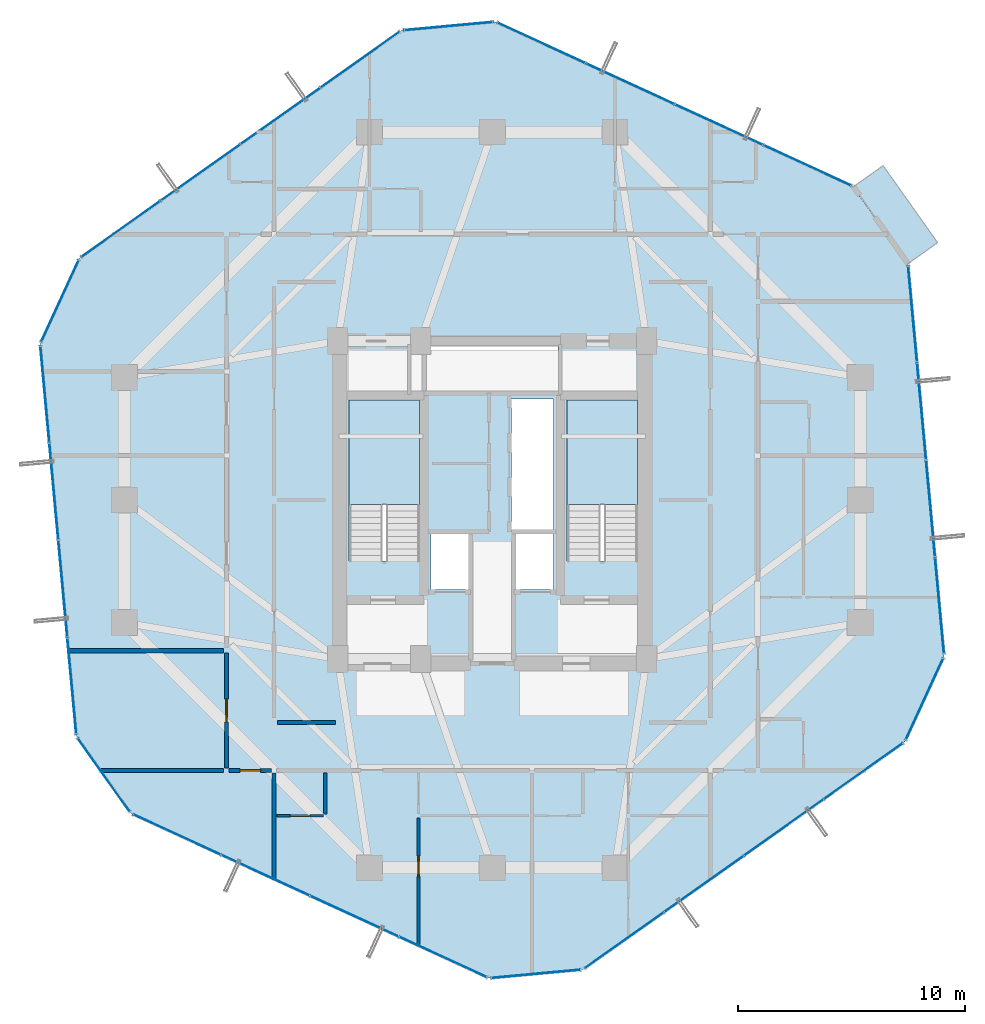
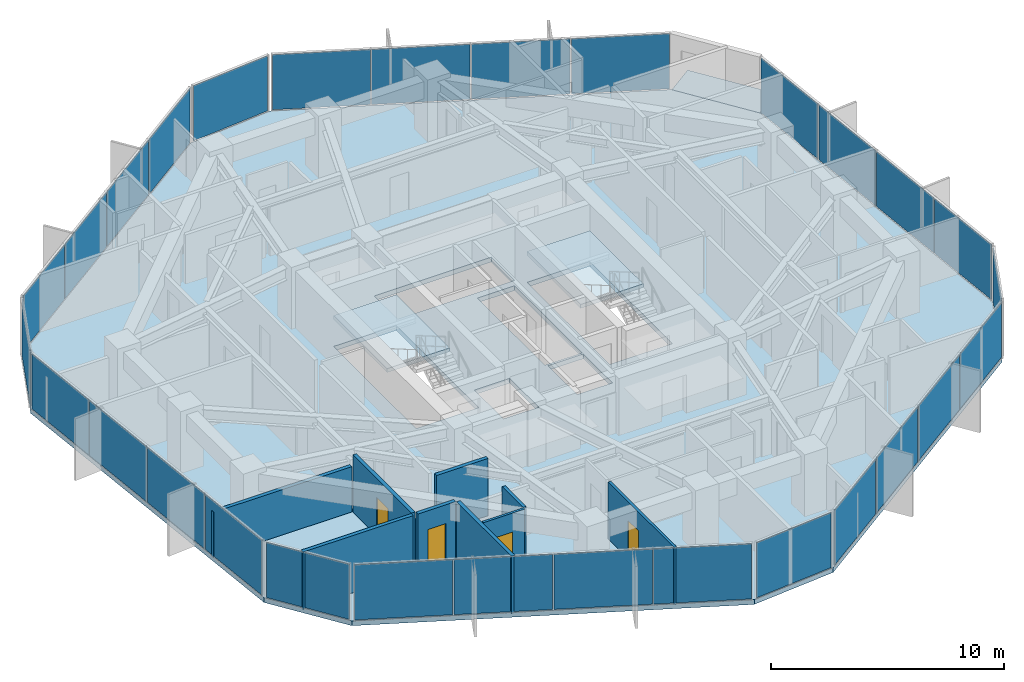
# One storey, part 27 of 33: 29 plates, 9 walls, 4 doors, 4 slabs, 4 openings, 13 elements without a shape of their own.
"""IFC4 building model written with IfcOpenShell, lengths in metres."""

from ifc_helpers import new_model, si_unit, direction, frame, frame_2d, origin, origin_2d, place, context, subcontext, project, spatial, polyline, rectangle, outline, extrude, source, transform, mapped, material, layer, layer_set, type_object, element, fill, aggregate, save


model = new_model("IFC4")

# Units and contexts
model_context = context("Model", 3, precision=1e-05, world=origin(), true_north=direction((0.0, 1.0)))
body_context = subcontext(model_context, "Body", "Model", "MODEL_VIEW")
ifc_project = project(units=[si_unit("LENGTHUNIT", "METRE"), si_unit("AREAUNIT", "SQUARE_METRE"), si_unit("VOLUMEUNIT", "CUBIC_METRE"), si_unit("PLANEANGLEUNIT", "RADIAN"), si_unit("MASSUNIT", "GRAM", prefix="KILO")], contexts=[model_context])

# Site, building, storey
site_placement = place(None, origin())
site = spatial("IfcSite", under=ifc_project, at=site_placement, CompositionType="ELEMENT")
building_placement = place(site_placement, origin())
building = spatial("IfcBuilding", under=site, at=building_placement, Name="Veraguas Prism Commons", CompositionType="ELEMENT")
storey_placement = place(building_placement, frame((0.0, 0.0, 145.75)))
storey = spatial("IfcBuildingStorey", under=building, at=storey_placement, Name="L41", CompositionType="ELEMENT", Elevation=145.75)

# Stair, slab
ifc_material_1 = material(Name="Precast concrete C45/55", Category="concrete")
stair_type = type_object("IfcStairType", Name="Dogleg Core Stair 1480W 20R 05", PredefinedType="HALF_TURN_STAIR", material=ifc_material_1)
stair_1_placement = place(storey_placement, origin())
stair_1 = element("IfcStair", 1, at=stair_1_placement, inside=storey, type_object=stair_type, Name="Protected Exit Stair ST-01 L41", PredefinedType="HALF_TURN_STAIR")
ifc_layer_1 = layer(ifc_material_1, 0.199951171875, Name="Precast Stair and Ramp Landing Slab 200", Category="concrete")
ifc_layer_set_1 = layer_set([ifc_layer_1], Name="Precast concrete C45/55")
slab_type_1 = type_object("IfcSlabType", Name="Precast Stair and Ramp Landing Slab 200", PredefinedType="LANDING", material=ifc_layer_set_1)
slab_1_placement = place(storey_placement, frame((0.0, 0.0, 1.425048828125)))
slab_1 = element("IfcSlab", 2, at=slab_1_placement, type_object=slab_type_1, Name="ST-05 Landing 1", PredefinedType="LANDING", context=body_context, shape_type="SweptSolid", body=[
    extrude(outline(polyline([(20.800048828125, 23.800048828125), (20.800048828125, 28.39990234375), (17.68994140625, 28.39990234375), (17.68994140625, 23.800048828125), (20.800048828125, 23.800048828125)])), origin(), (0.0, 0.0, 1.0), 0.199951171875),
])
aggregate(stair_1, [slab_1])

stair_2_placement = place(storey_placement, origin())
stair_2 = element("IfcStair", 3, at=stair_2_placement, inside=storey, type_object=stair_type, Name="Protected Exit Stair ST-02 L41", PredefinedType="HALF_TURN_STAIR")
slab_2_placement = place(storey_placement, frame((0.0, 0.0, 1.425048828125)))
slab_2 = element("IfcSlab", 4, at=slab_2_placement, type_object=slab_type_1, Name="ST-05 Landing 1", PredefinedType="LANDING", context=body_context, shape_type="SweptSolid", body=[
    extrude(outline(polyline([(30.39990234375, 23.800048828125), (30.39990234375, 28.39990234375), (27.2900390625, 28.39990234375), (27.2900390625, 23.800048828125), (30.39990234375, 23.800048828125)])), origin(), (0.0, 0.0, 1.0), 0.199951171875),
])
aggregate(stair_2, [slab_2])

# Slabs
ifc_material_2 = material(Name="Concrete C45/55", Category="concrete")
ifc_layer_2 = layer(ifc_material_2, 0.219970703125, Name="Recessed Loggia and Terrace Slab RC 220", Category="concrete")
ifc_layer_set_2 = layer_set([ifc_layer_2], Name="Concrete C45/55")
slab_type_2 = type_object("IfcSlabType", Name="Recessed Loggia and Terrace Slab RC 220", PredefinedType="FLOOR", material=ifc_layer_set_2)
slab_3_placement = place(storey_placement, frame((0.0, 0.0, -0.219970703125)))
element("IfcSlab", 5, at=slab_3_placement, inside=storey, type_object=slab_type_2, Name="Recessed Corner Loggia L41-C1", PredefinedType="FLOOR", context=body_context, shape_type="SweptSolid", body=[
    extrude(outline(polyline([(42.286376953125, 34.39404296875), (43.608642578125, 35.32958984375), (41.2099609375, 38.72021484375), (39.887451171875, 37.784423828125), (42.286376953125, 34.39404296875)])), origin(), (0.0, 0.0, 1.0), 0.219970703125),
])
ifc_layer_3 = layer(ifc_material_2, 0.25, Name="Tower Lower Residential Floor Slab RC 250", Category="concrete")
ifc_layer_set_3 = layer_set([ifc_layer_3], Name="Concrete C45/55")
slab_type_3 = type_object("IfcSlabType", Name="Tower Lower Residential Floor Slab RC 250", PredefinedType="FLOOR", material=ifc_layer_set_3)
slab_4_placement = place(storey_placement, frame((0.0, 0.0, -0.25)))
element("IfcSlab", 6, at=slab_4_placement, inside=storey, type_object=slab_type_3, Name="Tower Floor Slab L41", PredefinedType="FLOOR", context=body_context, shape_type="SweptSolid", body=[
    extrude(outline(polyline([(42.302490234375, 34.405517578125), (39.90380859375, 37.7958984375), (24.139892578125, 45.05322265625), (20.00439453125, 44.671142578125), (5.837158203125, 34.647705078125), (4.100341796875, 30.875), (5.697509765625, 13.594482421875), (8.09619140625, 10.2041015625), (23.860107421875, 2.94677734375), (27.99560546875, 3.328857421875), (42.162841796875, 13.352294921875), (43.899658203125, 17.125), (42.302490234375, 34.405517578125)]), holes=[polyline([(20.800048828125, 21.31005859375), (20.800048828125, 28.39990234375), (17.68994140625, 28.39990234375), (17.68994140625, 21.31005859375), (20.800048828125, 21.31005859375)]), polyline([(30.39990234375, 21.31005859375), (30.39990234375, 28.39990234375), (27.2900390625, 28.39990234375), (27.2900390625, 21.31005859375), (30.39990234375, 21.31005859375)]), polyline([(24.85009765625, 22.64990234375), (26.699951171875, 22.64990234375), (26.699951171875, 28.449951171875), (24.85009765625, 28.449951171875), (24.85009765625, 22.64990234375)]), polyline([(21.10009765625, 28.800048828125), (26.89990234375, 28.800048828125), (26.89990234375, 30.800048828125), (21.10009765625, 30.800048828125), (21.10009765625, 28.800048828125)]), polyline([(21.300048828125, 20.050048828125), (23.050048828125, 20.050048828125), (23.050048828125, 22.550048828125), (21.300048828125, 22.550048828125), (21.300048828125, 20.050048828125)]), polyline([(24.949951171875, 20.050048828125), (26.699951171875, 20.050048828125), (26.699951171875, 22.550048828125), (24.949951171875, 22.550048828125), (24.949951171875, 20.050048828125)])]), origin(), (0.0, 0.0, 1.0), 0.25),
])

# Curtain wall, plates
ifc_material_3 = material(Name="Anodised aluminium EN AW-6063 T6", Category="aluminium")
ifc_layer_4 = layer(ifc_material_3, 0.169921875, Name="Unitised Flush Curtain Wall Zone 2", Category="aluminium")
ifc_layer_set_4 = layer_set([ifc_layer_4], Name="Anodised aluminium EN AW-6063 T6")
curtain_wall_type = type_object("IfcCurtainWallType", Name="Unitised Flush Curtain Wall Zone 2", PredefinedType="NOTDEFINED", material=ifc_layer_set_4)
curtain_wall_1_placement = place(storey_placement, origin())
curtain_wall_1 = element("IfcCurtainWall", 7, at=curtain_wall_1_placement, inside=storey, type_object=curtain_wall_type, Name="Tower Facade Curtain Wall L41-F1", PredefinedType="NOTDEFINED")
ifc_material_4 = material(Name="Laminated low-e glass", Category="glass")
ifc_layer_5 = layer(ifc_material_4, 0.028076171875, Name="Unitised Double Low-E Glazed Panel 28", Category="glass")
ifc_layer_set_5 = layer_set([ifc_layer_5], Name="Laminated low-e glass")
plate_type = type_object("IfcPlateType", Name="Unitised Double Low-E Glazed Panel 28", PredefinedType="CURTAIN_PANEL", material=ifc_layer_set_5)
shared_shape_1 = source(origin(), body_context, "Body", "SweptSolid", [
    extrude(rectangle(XDim=4.218505859375, YDim=0.028076171875, at=origin_2d()), origin(), (0.0, 0.0, 1.0), 2.889892578125),
])
plate_1_placement = place(storey_placement, frame((37.87890625, 38.728271484375, 0.05517578125), z_axis=(0.0, 0.0, 1.0), x_axis=(-0.908362988922, 0.418182592124, 0.0)))
plate_1 = element("IfcPlate", 8, at=plate_1_placement, type_object=plate_type, Name="CW-Z2 Panel 1.1", PredefinedType="CURTAIN_PANEL", context=body_context, shape_type="MappedRepresentation", body=[
    mapped(shared_shape_1, transform((0.0, 0.0, 0.0), scale=1.0)),
])
plate_2_placement = place(storey_placement, frame((26.164794921875, 44.12109375, 0.05517578125), z_axis=(0.0, 0.0, 1.0), x_axis=(-0.908362988922, 0.418182592124, 0.0)))
plate_2 = element("IfcPlate", 9, at=plate_2_placement, type_object=plate_type, Name="CW-Z2 Panel 4.1", PredefinedType="CURTAIN_PANEL", context=body_context, shape_type="MappedRepresentation", body=[
    mapped(shared_shape_1, transform((0.0, 0.0, 0.0), scale=1.0)),
])

curtain_wall_2_placement = place(storey_placement, origin())
curtain_wall_2 = element("IfcCurtainWall", 10, at=curtain_wall_2_placement, inside=storey, type_object=curtain_wall_type, Name="Tower Facade Curtain Wall L41-F2", PredefinedType="NOTDEFINED")
plate_3_placement = place(storey_placement, frame((18.184326171875, 43.383544921875, 0.05517578125), z_axis=(0.0, 0.0, 1.0), x_axis=(-0.81634227487, -0.577568429072, 0.0)))
plate_3 = element("IfcPlate", 11, at=plate_3_placement, type_object=plate_type, Name="CW-Z2 Panel 1.1", PredefinedType="CURTAIN_PANEL", context=body_context, shape_type="MappedRepresentation", body=[
    mapped(shared_shape_1, transform((0.0, 0.0, 0.0), scale=1.0)),
])
plate_4_placement = place(storey_placement, frame((7.656982421875, 35.935302734375, 0.05517578125), z_axis=(0.0, 0.0, 1.0), x_axis=(-0.81634227487, -0.577568429072, 0.0)))
plate_4 = element("IfcPlate", 12, at=plate_4_placement, type_object=plate_type, Name="CW-Z2 Panel 4.1", PredefinedType="CURTAIN_PANEL", context=body_context, shape_type="MappedRepresentation", body=[
    mapped(shared_shape_1, transform((0.0, 0.0, 0.0), scale=1.0)),
])

curtain_wall_3_placement = place(storey_placement, origin())
curtain_wall_3 = element("IfcCurtainWall", 13, at=curtain_wall_3_placement, inside=storey, type_object=curtain_wall_type, Name="Tower Facade Curtain Wall L41-F3", PredefinedType="NOTDEFINED")
plate_5_placement = place(storey_placement, frame((4.305419921875, 28.6552734375, 0.05517578125), z_axis=(0.0, 0.0, 1.0), x_axis=(0.092024746261, -0.995756720327, 0.0)))
plate_5 = element("IfcPlate", 14, at=plate_5_placement, type_object=plate_type, Name="CW-Z2 Panel 1.1", PredefinedType="CURTAIN_PANEL", context=body_context, shape_type="MappedRepresentation", body=[
    mapped(shared_shape_1, transform((0.0, 0.0, 0.0), scale=1.0)),
])
plate_6_placement = place(storey_placement, frame((5.4921875, 15.814208984375, 0.05517578125), z_axis=(0.0, 0.0, 1.0), x_axis=(0.092024746261, -0.995756720327, 0.0)))
plate_6 = element("IfcPlate", 15, at=plate_6_placement, type_object=plate_type, Name="CW-Z2 Panel 4.1", PredefinedType="CURTAIN_PANEL", context=body_context, shape_type="MappedRepresentation", body=[
    mapped(shared_shape_1, transform((0.0, 0.0, 0.0), scale=1.0)),
])

curtain_wall_4_placement = place(storey_placement, origin())
curtain_wall_4 = element("IfcCurtainWall", 16, at=curtain_wall_4_placement, inside=storey, type_object=curtain_wall_type, Name="Tower Facade Curtain Wall L41-F4", PredefinedType="NOTDEFINED")
plate_7_placement = place(storey_placement, frame((10.12109375, 9.271728515625, 0.05517578125), z_axis=(0.0, 0.0, 1.0), x_axis=(0.908362988922, -0.418182592124, 0.0)))
plate_7 = element("IfcPlate", 17, at=plate_7_placement, type_object=plate_type, Name="CW-Z2 Panel 1.1", PredefinedType="CURTAIN_PANEL", context=body_context, shape_type="MappedRepresentation", body=[
    mapped(shared_shape_1, transform((0.0, 0.0, 0.0), scale=1.0)),
])
plate_8_placement = place(storey_placement, frame((21.835205078125, 3.87890625, 0.05517578125), z_axis=(0.0, 0.0, 1.0), x_axis=(0.908362988922, -0.418182592124, 0.0)))
plate_8 = element("IfcPlate", 18, at=plate_8_placement, type_object=plate_type, Name="CW-Z2 Panel 4.1", PredefinedType="CURTAIN_PANEL", context=body_context, shape_type="MappedRepresentation", body=[
    mapped(shared_shape_1, transform((0.0, 0.0, 0.0), scale=1.0)),
])

curtain_wall_5_placement = place(storey_placement, origin())
curtain_wall_5 = element("IfcCurtainWall", 19, at=curtain_wall_5_placement, inside=storey, type_object=curtain_wall_type, Name="Tower Facade Curtain Wall L41-F5", PredefinedType="NOTDEFINED")
plate_9_placement = place(storey_placement, frame((29.815673828125, 4.616455078125, 0.05517578125), z_axis=(0.0, 0.0, 1.0), x_axis=(0.81634227487, 0.577568429072, 0.0)))
plate_9 = element("IfcPlate", 20, at=plate_9_placement, type_object=plate_type, Name="CW-Z2 Panel 1.1", PredefinedType="CURTAIN_PANEL", context=body_context, shape_type="MappedRepresentation", body=[
    mapped(shared_shape_1, transform((0.0, 0.0, 0.0), scale=1.0)),
])
plate_10_placement = place(storey_placement, frame((40.343017578125, 12.064697265625, 0.05517578125), z_axis=(0.0, 0.0, 1.0), x_axis=(0.81634227487, 0.577568429072, 0.0)))
plate_10 = element("IfcPlate", 21, at=plate_10_placement, type_object=plate_type, Name="CW-Z2 Panel 4.1", PredefinedType="CURTAIN_PANEL", context=body_context, shape_type="MappedRepresentation", body=[
    mapped(shared_shape_1, transform((0.0, 0.0, 0.0), scale=1.0)),
])

curtain_wall_6_placement = place(storey_placement, origin())
curtain_wall_6 = element("IfcCurtainWall", 22, at=curtain_wall_6_placement, inside=storey, type_object=curtain_wall_type, Name="Tower Facade Curtain Wall L41-F6", PredefinedType="NOTDEFINED")
plate_11_placement = place(storey_placement, frame((43.694580078125, 19.3447265625, 0.05517578125), z_axis=(0.0, 0.0, 1.0), x_axis=(-0.092024746261, 0.995756720327, 0.0)))
plate_11 = element("IfcPlate", 23, at=plate_11_placement, type_object=plate_type, Name="CW-Z2 Panel 1.1", PredefinedType="CURTAIN_PANEL", context=body_context, shape_type="MappedRepresentation", body=[
    mapped(shared_shape_1, transform((0.0, 0.0, 0.0), scale=1.0)),
])
plate_12_placement = place(storey_placement, frame((42.5078125, 32.185791015625, 0.05517578125), z_axis=(0.0, 0.0, 1.0), x_axis=(-0.092024746261, 0.995756720327, 0.0)))
plate_12 = element("IfcPlate", 24, at=plate_12_placement, type_object=plate_type, Name="CW-Z2 Panel 4.1", PredefinedType="CURTAIN_PANEL", context=body_context, shape_type="MappedRepresentation", body=[
    mapped(shared_shape_1, transform((0.0, 0.0, 0.0), scale=1.0)),
])

# Plate
shared_shape_2 = source(origin(), body_context, "Body", "SweptSolid", [
    extrude(rectangle(XDim=4.24853515625, YDim=0.028076171875, at=origin_2d()), origin(), (0.0, 0.0, 1.0), 2.889892578125),
])
plate_13_placement = place(storey_placement, frame((33.978759765625, 40.523681640625, 0.05517578125), z_axis=(0.0, 0.0, 1.0), x_axis=(-0.908362988922, 0.418182592124, 0.0)))
plate_13 = element("IfcPlate", 25, at=plate_13_placement, type_object=plate_type, Name="CW-Z2 Panel 2.1", PredefinedType="CURTAIN_PANEL", context=body_context, shape_type="MappedRepresentation", body=[
    mapped(shared_shape_2, transform((0.0, 0.0, 0.0), scale=1.0)),
])

plate_14_placement = place(storey_placement, frame((30.06494140625, 42.325439453125, 0.05517578125), z_axis=(0.0, 0.0, 1.0), x_axis=(-0.908362988922, 0.418182592124, 0.0)))
plate_14 = element("IfcPlate", 26, at=plate_14_placement, type_object=plate_type, Name="CW-Z2 Panel 3.1", PredefinedType="CURTAIN_PANEL", context=body_context, shape_type="MappedRepresentation", body=[
    mapped(shared_shape_2, transform((0.0, 0.0, 0.0), scale=1.0)),
])

aggregate(curtain_wall_1, [plate_1, plate_13, plate_14, plate_2])

plate_15_placement = place(storey_placement, frame((14.679443359375, 40.903564453125, 0.05517578125), z_axis=(0.0, 0.0, 1.0), x_axis=(-0.81634227487, -0.577568429072, 0.0)))
plate_15 = element("IfcPlate", 27, at=plate_15_placement, type_object=plate_type, Name="CW-Z2 Panel 2.1", PredefinedType="CURTAIN_PANEL", context=body_context, shape_type="MappedRepresentation", body=[
    mapped(shared_shape_2, transform((0.0, 0.0, 0.0), scale=1.0)),
])

plate_16_placement = place(storey_placement, frame((11.162109375, 38.4150390625, 0.05517578125), z_axis=(0.0, 0.0, 1.0), x_axis=(-0.81634227487, -0.577568429072, 0.0)))
plate_16 = element("IfcPlate", 28, at=plate_16_placement, type_object=plate_type, Name="CW-Z2 Panel 3.1", PredefinedType="CURTAIN_PANEL", context=body_context, shape_type="MappedRepresentation", body=[
    mapped(shared_shape_2, transform((0.0, 0.0, 0.0), scale=1.0)),
])

aggregate(curtain_wall_2, [plate_3, plate_15, plate_16, plate_4])

plate_17_placement = place(storey_placement, frame((4.70068359375, 24.3798828125, 0.05517578125), z_axis=(0.0, 0.0, 1.0), x_axis=(0.092024746261, -0.995756720327, 0.0)))
plate_17 = element("IfcPlate", 29, at=plate_17_placement, type_object=plate_type, Name="CW-Z2 Panel 2.1", PredefinedType="CURTAIN_PANEL", context=body_context, shape_type="MappedRepresentation", body=[
    mapped(shared_shape_2, transform((0.0, 0.0, 0.0), scale=1.0)),
])

plate_18_placement = place(storey_placement, frame((5.09716796875, 20.089599609375, 0.05517578125), z_axis=(0.0, 0.0, 1.0), x_axis=(0.092024746261, -0.995756720327, 0.0)))
plate_18 = element("IfcPlate", 30, at=plate_18_placement, type_object=plate_type, Name="CW-Z2 Panel 3.1", PredefinedType="CURTAIN_PANEL", context=body_context, shape_type="MappedRepresentation", body=[
    mapped(shared_shape_2, transform((0.0, 0.0, 0.0), scale=1.0)),
])

aggregate(curtain_wall_3, [plate_5, plate_17, plate_18, plate_6])

plate_19_placement = place(storey_placement, frame((14.021240234375, 7.476318359375, 0.05517578125), z_axis=(0.0, 0.0, 1.0), x_axis=(0.908362988922, -0.418182592124, 0.0)))
plate_19 = element("IfcPlate", 31, at=plate_19_placement, type_object=plate_type, Name="CW-Z2 Panel 2.1", PredefinedType="CURTAIN_PANEL", context=body_context, shape_type="MappedRepresentation", body=[
    mapped(shared_shape_2, transform((0.0, 0.0, 0.0), scale=1.0)),
])

plate_20_placement = place(storey_placement, frame((17.93505859375, 5.674560546875, 0.05517578125), z_axis=(0.0, 0.0, 1.0), x_axis=(0.908362988922, -0.418182592124, 0.0)))
plate_20 = element("IfcPlate", 32, at=plate_20_placement, type_object=plate_type, Name="CW-Z2 Panel 3.1", PredefinedType="CURTAIN_PANEL", context=body_context, shape_type="MappedRepresentation", body=[
    mapped(shared_shape_2, transform((0.0, 0.0, 0.0), scale=1.0)),
])

aggregate(curtain_wall_4, [plate_7, plate_19, plate_20, plate_8])

plate_21_placement = place(storey_placement, frame((33.320556640625, 7.096435546875, 0.05517578125), z_axis=(0.0, 0.0, 1.0), x_axis=(0.81634227487, 0.577568429072, 0.0)))
plate_21 = element("IfcPlate", 33, at=plate_21_placement, type_object=plate_type, Name="CW-Z2 Panel 2.1", PredefinedType="CURTAIN_PANEL", context=body_context, shape_type="MappedRepresentation", body=[
    mapped(shared_shape_2, transform((0.0, 0.0, 0.0), scale=1.0)),
])

plate_22_placement = place(storey_placement, frame((36.837890625, 9.5849609375, 0.05517578125), z_axis=(0.0, 0.0, 1.0), x_axis=(0.81634227487, 0.577568429072, 0.0)))
plate_22 = element("IfcPlate", 34, at=plate_22_placement, type_object=plate_type, Name="CW-Z2 Panel 3.1", PredefinedType="CURTAIN_PANEL", context=body_context, shape_type="MappedRepresentation", body=[
    mapped(shared_shape_2, transform((0.0, 0.0, 0.0), scale=1.0)),
])

aggregate(curtain_wall_5, [plate_9, plate_21, plate_22, plate_10])

plate_23_placement = place(storey_placement, frame((43.29931640625, 23.6201171875, 0.05517578125), z_axis=(0.0, 0.0, 1.0), x_axis=(-0.092024746261, 0.995756720327, 0.0)))
plate_23 = element("IfcPlate", 35, at=plate_23_placement, type_object=plate_type, Name="CW-Z2 Panel 2.1", PredefinedType="CURTAIN_PANEL", context=body_context, shape_type="MappedRepresentation", body=[
    mapped(shared_shape_2, transform((0.0, 0.0, 0.0), scale=1.0)),
])

plate_24_placement = place(storey_placement, frame((42.90283203125, 27.910400390625, 0.05517578125), z_axis=(0.0, 0.0, 1.0), x_axis=(-0.092024746261, 0.995756720327, 0.0)))
plate_24 = element("IfcPlate", 36, at=plate_24_placement, type_object=plate_type, Name="CW-Z2 Panel 3.1", PredefinedType="CURTAIN_PANEL", context=body_context, shape_type="MappedRepresentation", body=[
    mapped(shared_shape_2, transform((0.0, 0.0, 0.0), scale=1.0)),
])

aggregate(curtain_wall_6, [plate_11, plate_23, plate_24, plate_12])

# Curtain wall, plate
curtain_wall_7_placement = place(storey_placement, origin())
curtain_wall_7 = element("IfcCurtainWall", 37, at=curtain_wall_7_placement, inside=storey, type_object=curtain_wall_type, Name="Chamfer Curtain Wall L41-C3", PredefinedType="NOTDEFINED")
shared_shape_3 = source(origin(), body_context, "Body", "SweptSolid", [
    extrude(rectangle(XDim=3.9130859375, YDim=0.028076171875, at=origin_2d()), origin(), (0.0, 0.0, 1.0), 2.889892578125),
])
plate_25_placement = place(storey_placement, frame((4.96875, 32.761474609375, 0.05517578125), z_axis=(0.0, 0.0, 1.0), x_axis=(-0.418181006731, -0.908363718787, 0.0)))
plate_25 = element("IfcPlate", 38, at=plate_25_placement, type_object=plate_type, Name="CW-Z2 Panel 1.1", PredefinedType="CURTAIN_PANEL", context=body_context, shape_type="MappedRepresentation", body=[
    mapped(shared_shape_3, transform((0.0, 0.0, 0.0), scale=1.0)),
])
aggregate(curtain_wall_7, [plate_25])

curtain_wall_8_placement = place(storey_placement, origin())
curtain_wall_8 = element("IfcCurtainWall", 39, at=curtain_wall_8_placement, inside=storey, type_object=curtain_wall_type, Name="Chamfer Curtain Wall L41-C4", PredefinedType="NOTDEFINED")
plate_26_placement = place(storey_placement, frame((6.896728515625, 11.899169921875, 0.05517578125), z_axis=(0.0, 0.0, 1.0), x_axis=(0.577568429072, -0.81634227487, 0.0)))
plate_26 = element("IfcPlate", 40, at=plate_26_placement, type_object=plate_type, Name="CW-Z2 Panel 1.1", PredefinedType="CURTAIN_PANEL", context=body_context, shape_type="MappedRepresentation", body=[
    mapped(shared_shape_3, transform((0.0, 0.0, 0.0), scale=1.0)),
])
aggregate(curtain_wall_8, [plate_26])

curtain_wall_9_placement = place(storey_placement, origin())
curtain_wall_9 = element("IfcCurtainWall", 41, at=curtain_wall_9_placement, inside=storey, type_object=curtain_wall_type, Name="Chamfer Curtain Wall L41-C6", PredefinedType="NOTDEFINED")
plate_27_placement = place(storey_placement, frame((43.03125, 15.238525390625, 0.05517578125), z_axis=(0.0, 0.0, 1.0), x_axis=(0.418181006731, 0.908363718787, 0.0)))
plate_27 = element("IfcPlate", 42, at=plate_27_placement, type_object=plate_type, Name="CW-Z2 Panel 1.1", PredefinedType="CURTAIN_PANEL", context=body_context, shape_type="MappedRepresentation", body=[
    mapped(shared_shape_3, transform((0.0, 0.0, 0.0), scale=1.0)),
])
aggregate(curtain_wall_9, [plate_27])

curtain_wall_10_placement = place(storey_placement, origin())
curtain_wall_10 = element("IfcCurtainWall", 43, at=curtain_wall_10_placement, inside=storey, type_object=curtain_wall_type, Name="Chamfer Curtain Wall L41-C2", PredefinedType="NOTDEFINED")
shared_shape_4 = source(origin(), body_context, "Body", "SweptSolid", [
    extrude(rectangle(XDim=3.913330078125, YDim=0.028076171875, at=origin_2d()), origin(), (0.0, 0.0, 1.0), 2.889892578125),
])
plate_28_placement = place(storey_placement, frame((22.072021484375, 44.8623046875, 0.05517578125), z_axis=(0.0, 0.0, 1.0), x_axis=(-0.995755756591, -0.092035173796, 0.0)))
plate_28 = element("IfcPlate", 44, at=plate_28_placement, type_object=plate_type, Name="CW-Z2 Panel 1.1", PredefinedType="CURTAIN_PANEL", context=body_context, shape_type="MappedRepresentation", body=[
    mapped(shared_shape_4, transform((0.0, 0.0, 0.0), scale=1.0)),
])
aggregate(curtain_wall_10, [plate_28])

curtain_wall_11_placement = place(storey_placement, origin())
curtain_wall_11 = element("IfcCurtainWall", 45, at=curtain_wall_11_placement, inside=storey, type_object=curtain_wall_type, Name="Chamfer Curtain Wall L41-C5", PredefinedType="NOTDEFINED")
plate_29_placement = place(storey_placement, frame((25.927978515625, 3.1376953125, 0.05517578125), z_axis=(0.0, 0.0, 1.0), x_axis=(0.995755756591, 0.092035173796, 0.0)))
plate_29 = element("IfcPlate", 46, at=plate_29_placement, type_object=plate_type, Name="CW-Z2 Panel 1.1", PredefinedType="CURTAIN_PANEL", context=body_context, shape_type="MappedRepresentation", body=[
    mapped(shared_shape_4, transform((0.0, 0.0, 0.0), scale=1.0)),
])
aggregate(curtain_wall_11, [plate_29])

# Walls
ifc_material_5 = material(Name="Autoclaved aerated masonry block 10 MPa", Category="masonry")
ifc_layer_6 = layer(ifc_material_5, 0.179931640625, Name="Corridor and Inter-Tenancy Partition 180", Category="masonry")
ifc_layer_set_6 = layer_set([ifc_layer_6], Name="Autoclaved aerated masonry block 10 MPa")
wall_type_1 = type_object("IfcWallType", Name="Corridor and Inter-Tenancy Partition 180", PredefinedType="PARTITIONING", material=ifc_layer_set_6)
wall_1_placement = place(storey_placement, frame((14.550048828125, 14.199951171875, 0.0), z_axis=(0.0, 0.0, 1.0), x_axis=(1.0, 0.0, 0.0)))
element("IfcWall", 47, at=wall_1_placement, inside=storey, type_object=wall_type_1, Name="WL-L41-IRWS", PredefinedType="PARTITIONING", context=body_context, shape_type="SweptSolid", body=[
    extrude(rectangle(XDim=2.550048828125, YDim=0.179931640625, at=frame_2d((1.27490234375, 0.0))), origin(), (0.0, 0.0, 1.0), 3.0),
])
wall_2_placement = place(storey_placement, frame((14.39990234375, 11.97998046875, 0.0), z_axis=(0.0, 0.0, 1.0), x_axis=(0.0, -1.0, 0.0)))
element("IfcWall", 48, at=wall_2_placement, inside=storey, type_object=wall_type_1, Name="WL-L41-PT001", PredefinedType="PARTITIONING", context=body_context, shape_type="SweptSolid", body=[
    extrude(rectangle(XDim=4.711181640625, YDim=0.179931640625, at=frame_2d((2.35546875, 0.0))), origin(), (0.0, 0.0, 1.0), 3.0),
])
wall_3_placement = place(storey_placement, frame((12.179931640625, 12.10009765625, 0.0), z_axis=(0.0, 0.0, 1.0), x_axis=(-1.0, 0.0, 0.0)))
element("IfcWall", 49, at=wall_3_placement, inside=storey, type_object=wall_type_1, Name="WL-L41-PT028", PredefinedType="PARTITIONING", context=body_context, shape_type="SweptSolid", body=[
    extrude(rectangle(XDim=5.4619140625, YDim=0.179931640625, at=frame_2d((2.73095703125, 0.0))), origin(), (0.0, 0.0, 1.0), 3.0),
])

# Wall, opening, door
wall_4_placement = place(storey_placement, frame((12.300048828125, 12.2099609375, 0.0), z_axis=(0.0, 0.0, 1.0), x_axis=(0.0, 1.0, 0.0)))
wall_4 = element("IfcWall", 50, at=wall_4_placement, inside=storey, type_object=wall_type_1, Name="WL-L41-PT030", PredefinedType="PARTITIONING", context=body_context, shape_type="SweptSolid", body=[
    extrude(rectangle(XDim=5.0439453125, YDim=0.179931640625, at=frame_2d((2.52197265625, 0.0))), origin(), (0.0, 0.0, 1.0), 3.0),
])
opening_1_placement = place(wall_4_placement, frame((2.02197265625, 0.0, 0.0)))
opening_1 = element("IfcOpeningElement", 51, at=opening_1_placement, cuts=wall_4, Name="Opening DR-13", PredefinedType="OPENING", context=body_context, shape_type="SweptSolid", body=[
    extrude(rectangle(XDim=1.0, YDim=2.010009765625, at=frame_2d((0.5, 1.0048828125))), frame((0.0, 0.099853515625, 0.0), z_axis=(0.0, -1.0, 0.0), x_axis=(1.0, 0.0, 0.0)), (0.0, 0.0, 1.0), 0.199951171875),
])
ifc_material_6 = material(Name="Steel fire-rated door assembly", Category="steel")
door_type_1 = type_object("IfcDoorType", Name="Core Accessible WC and Clinic Fire Door 1000x2010", OperationType="NOTDEFINED", PredefinedType="DOOR", material=ifc_material_6)
shared_shape_5 = source(origin(), body_context, "Body", "SweptSolid", [
    extrude(rectangle(XDim=1.0, YDim=2.010009765625, at=frame_2d((0.5, 1.0048828125))), frame((0.0, 0.02490234375, 0.0), z_axis=(0.0, -1.0, 0.0), x_axis=(1.0, 0.0, 0.0)), (0.0, 0.0, 1.0), 0.050048828125),
])
door_1_placement = place(opening_1_placement, origin())
door_1 = element("IfcDoor", 52, at=door_1_placement, inside=storey, type_object=door_type_1, Name="Community Co-op Kitchen Door", OperationType="SINGLE_SWING_RIGHT", OverallHeight=2.010009765625, OverallWidth=1.0, PredefinedType="DOOR", context=body_context, shape_type="MappedRepresentation", body=[
    mapped(shared_shape_5, transform((0.0, 0.0, 0.0), scale=1.0)),
])
fill(opening_1, door_1)

# Wall
wall_5_placement = place(storey_placement, frame((12.179931640625, 17.364013671875, 0.0), z_axis=(0.0, 0.0, 1.0), x_axis=(-1.0, 0.0, 0.0)))
element("IfcWall", 53, at=wall_5_placement, inside=storey, type_object=wall_type_1, Name="WL-L41-PT032", PredefinedType="PARTITIONING", context=body_context, shape_type="SweptSolid", body=[
    extrude(rectangle(XDim=6.861083984375, YDim=0.179931640625, at=frame_2d((3.4306640625, 0.0))), origin(), (0.0, 0.0, 1.0), 2.3779296875),
])

# Wall, opening, door
wall_6_placement = place(storey_placement, frame((12.419921875, 12.10009765625, 0.0), z_axis=(0.0, 0.0, 1.0), x_axis=(1.0, 0.0, 0.0)))
wall_6 = element("IfcWall", 54, at=wall_6_placement, inside=storey, type_object=wall_type_1, Name="WL-L41-PT051", PredefinedType="PARTITIONING", context=body_context, shape_type="SweptSolid", body=[
    extrude(rectangle(XDim=1.860107421875, YDim=0.179931640625, at=frame_2d((0.93017578125, 0.0))), origin(), (0.0, 0.0, 1.0), 3.0),
])
opening_2_placement = place(wall_6_placement, frame((0.47998046875, 0.0, 0.0)))
opening_2 = element("IfcOpeningElement", 55, at=opening_2_placement, cuts=wall_6, Name="Opening DR-14", PredefinedType="OPENING", context=body_context, shape_type="SweptSolid", body=[
    extrude(rectangle(XDim=0.89990234375, YDim=2.010009765625, at=frame_2d((0.449951171875, 1.0048828125))), frame((0.0, 0.099853515625, 0.0), z_axis=(0.0, -1.0, 0.0), x_axis=(1.0, 0.0, 0.0)), (0.0, 0.0, 1.0), 0.199951171875),
])
door_type_2 = type_object("IfcDoorType", Name="Core Service Room Fire Door 900x2010", OperationType="NOTDEFINED", PredefinedType="DOOR", material=ifc_material_6)
shared_shape_6 = source(origin(), body_context, "Body", "SweptSolid", [
    extrude(rectangle(XDim=0.89990234375, YDim=2.010009765625, at=frame_2d((0.449951171875, 1.0048828125))), frame((0.0, 0.02490234375, 0.0), z_axis=(0.0, -1.0, 0.0), x_axis=(1.0, 0.0, 0.0)), (0.0, 0.0, 1.0), 0.050048828125),
])
door_2_placement = place(opening_2_placement, origin())
door_2 = element("IfcDoor", 56, at=door_2_placement, inside=storey, type_object=door_type_2, Name="Residents Cycle and Pram Store SW Door", OperationType="SINGLE_SWING_LEFT", OverallHeight=2.010009765625, OverallWidth=0.89990234375, PredefinedType="DOOR", context=body_context, shape_type="MappedRepresentation", body=[
    mapped(shared_shape_6, transform((0.0, 0.0, 0.0), scale=1.0)),
])
fill(opening_2, door_2)

ifc_material_7 = material(Name="Lightweight acoustic gypsum board")
ifc_layer_7 = layer(ifc_material_7, 0.125, Name="Internal Apartment Room Partition 125")
ifc_layer_set_7 = layer_set([ifc_layer_7], Name="Lightweight acoustic gypsum board")
wall_type_2 = type_object("IfcWallType", Name="Internal Apartment Room Partition 125", PredefinedType="PARTITIONING", material=ifc_layer_set_7)
wall_7_placement = place(storey_placement, frame((14.52001953125, 10.10009765625, 0.0), z_axis=(0.0, 0.0, 1.0), x_axis=(1.0, 0.0, 0.0)))
wall_7 = element("IfcWall", 57, at=wall_7_placement, inside=storey, type_object=wall_type_2, Name="WL-L41-PT005", PredefinedType="PARTITIONING", context=body_context, shape_type="SweptSolid", body=[
    extrude(rectangle(XDim=2.050048828125, YDim=0.125, at=frame_2d((1.02490234375, 0.0))), origin(), (0.0, 0.0, 1.0), 3.0),
])
opening_3_placement = place(wall_7_placement, frame((0.594970703125, 0.0, 0.0)))
opening_3 = element("IfcOpeningElement", 58, at=opening_3_placement, cuts=wall_7, Name="Opening DR-03", PredefinedType="OPENING", context=body_context, shape_type="SweptSolid", body=[
    extrude(rectangle(XDim=0.860107421875, YDim=2.010009765625, at=frame_2d((0.43017578125, 1.0048828125))), frame((0.0, 0.072509765625, 0.0), z_axis=(0.0, -1.0, 0.0), x_axis=(1.0, 0.0, 0.0)), (0.0, 0.0, 1.0), 0.14501953125),
])
ifc_material_8 = material(Name="Timber moisture-resistant leaf", Category="wood")
door_type_3 = type_object("IfcDoorType", Name="Internal Bathroom Door 860x2010", OperationType="NOTDEFINED", PredefinedType="DOOR", material=ifc_material_8)
shared_shape_7 = source(origin(), body_context, "Body", "SweptSolid", [
    extrude(rectangle(XDim=0.860107421875, YDim=2.010009765625, at=frame_2d((0.43017578125, 1.0048828125))), frame((0.0, 0.02490234375, 0.0), z_axis=(0.0, -1.0, 0.0), x_axis=(1.0, 0.0, 0.0)), (0.0, 0.0, 1.0), 0.050048828125),
])
door_3_placement = place(opening_3_placement, origin())
door_3 = element("IfcDoor", 59, at=door_3_placement, inside=storey, type_object=door_type_3, Name="Flat 41A Bathroom Door", OperationType="SINGLE_SWING_LEFT", OverallHeight=2.010009765625, OverallWidth=0.860107421875, PredefinedType="DOOR", context=body_context, shape_type="MappedRepresentation", body=[
    mapped(shared_shape_7, transform((0.0, 0.0, 0.0), scale=1.0)),
])
fill(opening_3, door_3)

wall_8_placement = place(storey_placement, frame((20.7529296875, 10.0, 0.0), z_axis=(0.0, 0.0, 1.0), x_axis=(0.0, -1.0, 0.0)))
wall_8 = element("IfcWall", 60, at=wall_8_placement, inside=storey, type_object=wall_type_2, Name="WL-L41-PT008", PredefinedType="PARTITIONING", context=body_context, shape_type="SweptSolid", body=[
    extrude(rectangle(XDim=5.656005859375, YDim=0.125, at=frame_2d((2.828125, 0.0))), origin(), (0.0, 0.0, 1.0), 3.0),
])
opening_4_placement = place(wall_8_placement, frame((1.680908203125, 0.0, 0.0)))
opening_4 = element("IfcOpeningElement", 61, at=opening_4_placement, cuts=wall_8, Name="Opening DR-02", PredefinedType="OPENING", context=body_context, shape_type="SweptSolid", body=[
    extrude(rectangle(XDim=0.89990234375, YDim=2.010009765625, at=frame_2d((0.449951171875, 1.0048828125))), frame((0.0, 0.072509765625, 0.0), z_axis=(0.0, -1.0, 0.0), x_axis=(1.0, 0.0, 0.0)), (0.0, 0.0, 1.0), 0.14501953125),
])
ifc_material_9 = material(Name="Timber solid core hardwood", Category="wood")
door_type_4 = type_object("IfcDoorType", Name="Internal Habitable Room Door 900x2010", OperationType="NOTDEFINED", PredefinedType="DOOR", material=ifc_material_9)
door_4_placement = place(opening_4_placement, origin())
door_4 = element("IfcDoor", 62, at=door_4_placement, inside=storey, type_object=door_type_4, Name="Flat 41A Bedroom 1 Door", OperationType="SINGLE_SWING_LEFT", OverallHeight=2.010009765625, OverallWidth=0.89990234375, PredefinedType="DOOR", context=body_context, shape_type="MappedRepresentation", body=[
    mapped(shared_shape_6, transform((0.0, 0.0, 0.0), scale=1.0)),
])
fill(opening_4, door_4)

# Wall
ifc_layer_8 = layer(ifc_material_7, 0.14990234375, Name="Wet Room and Clinic Acoustic Partition 150")
ifc_layer_set_8 = layer_set([ifc_layer_8], Name="Lightweight acoustic gypsum board")
wall_type_3 = type_object("IfcWallType", Name="Wet Room and Clinic Acoustic Partition 150", PredefinedType="PARTITIONING", material=ifc_layer_set_8)
wall_9_placement = place(storey_placement, frame((16.64990234375, 11.97998046875, 0.0), z_axis=(0.0, 0.0, 1.0), x_axis=(0.0, -1.0, 0.0)))
element("IfcWall", 63, at=wall_9_placement, inside=storey, type_object=wall_type_3, Name="WL-L41-PT004", PredefinedType="PARTITIONING", context=body_context, shape_type="SweptSolid", body=[
    extrude(rectangle(XDim=1.800048828125, YDim=0.14990234375, at=frame_2d((0.89990234375, 0.0))), origin(), (0.0, 0.0, 1.0), 3.0),
])

save(model, "model.ifc")
